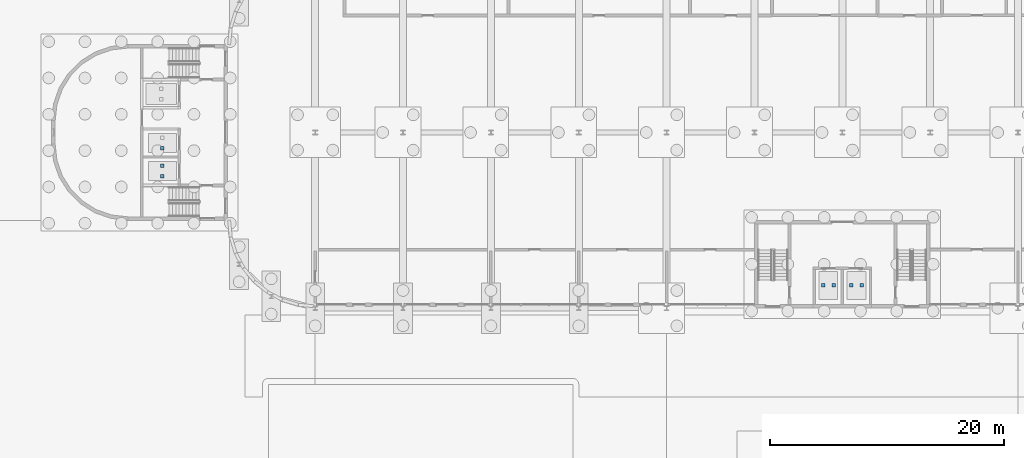
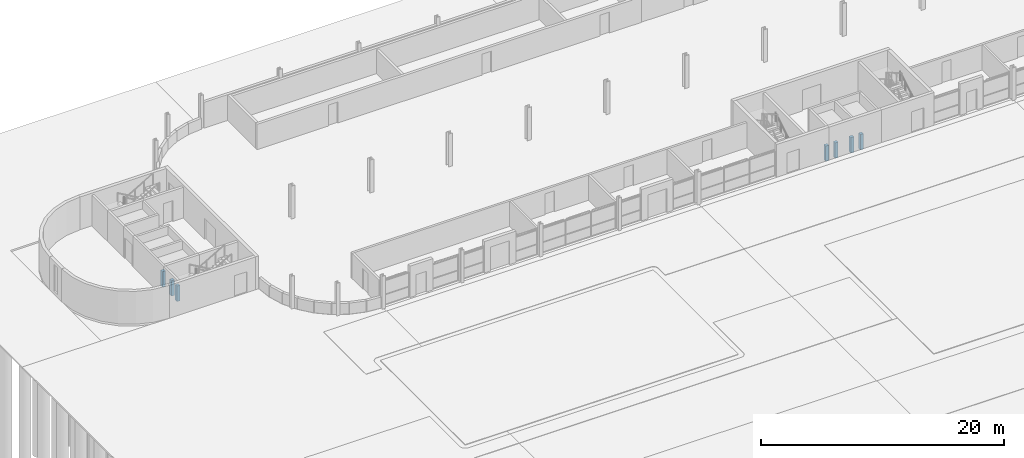
# One storey, part 98 of 130: 7 discrete accessories.
"""IFC4 building model written with IfcOpenShell, lengths in metres."""

from ifc_helpers import new_model, si_unit, direction, frame, origin, origin_2d, place, context, subcontext, project, spatial, rectangle, extrude, material, type_object, element, save


model = new_model("IFC4")

# Units and contexts
model_context = context("Model", 3, precision=1e-05, world=origin(), true_north=direction((0.0, 1.0)))
body_context = subcontext(model_context, "Body", "Model", "MODEL_VIEW")
ifc_project = project(units=[si_unit("LENGTHUNIT", "METRE"), si_unit("AREAUNIT", "SQUARE_METRE"), si_unit("VOLUMEUNIT", "CUBIC_METRE"), si_unit("PLANEANGLEUNIT", "RADIAN"), si_unit("MASSUNIT", "GRAM", prefix="KILO")], contexts=[model_context])

# Site, building, storey
site_placement = place(None, origin())
site = spatial("IfcSite", under=ifc_project, at=site_placement, CompositionType="ELEMENT")
building_placement = place(site_placement, origin())
building = spatial("IfcBuilding", under=site, at=building_placement, Name="Parallax Yard Mobility Hub", CompositionType="ELEMENT")
storey_placement = place(building_placement, origin())
storey = spatial("IfcBuildingStorey", under=building, at=storey_placement, Name="L00", CompositionType="ELEMENT", Elevation=0.0)

# Discrete accessories
ifc_material = material(Name="Steel ASTM A36", Category="steel")
discrete_accessory_type = type_object("IfcDiscreteAccessoryType", Name="Lift car buffer stand", PredefinedType="BRACKET", material=ifc_material)
for number, where, z_axis, x_axis, name in (
    (1, (16.949951171875, 123.75, -1.5), (0.0, 0.0, 1.0), (0.0, 1.0, 0.0), "Lift LF1 buffer stand 1 in core C-W"),
    (2, (16.949951171875, 124.64990234375, -1.5), (0.0, 0.0, 1.0), (0.0, 1.0, 0.0), "Lift LF1 buffer stand 2 in core C-W"),
    (3, (16.949951171875, 126.14990234375, -1.5), (0.0, 0.0, 1.0), (0.0, 1.0, 0.0), "Lift LF2 buffer stand 1 in core C-W"),
    (4, (76.64990234375, 114.449951171875, -1.5), (0.0, 0.0, 1.0), (-1.0, 0.0, 0.0), "Lift LF4 buffer stand 1 in core C-N1"),
    (5, (75.75, 114.449951171875, -1.5), (0.0, 0.0, 1.0), (-1.0, 0.0, 0.0), "Lift LF4 buffer stand 2 in core C-N1"),
    (6, (74.25, 114.449951171875, -1.5), (0.0, 0.0, 1.0), (-1.0, 0.0, 0.0), "Lift LF5 buffer stand 1 in core C-N1"),
    (7, (73.35009765625, 114.449951171875, -1.5), (0.0, 0.0, 1.0), (-1.0, 0.0, 0.0), "Lift LF5 buffer stand 2 in core C-N1"),
):
    element("IfcDiscreteAccessory", number, at=place(storey_placement, frame(where, z_axis=z_axis, x_axis=x_axis)), inside=storey, type_object=discrete_accessory_type, Name=name, PredefinedType="BRACKET", context=body_context, shape_type="SweptSolid", body=[
        extrude(rectangle(XDim=0.300048828125, YDim=0.300048828125, at=origin_2d()), origin(), (0.0, 0.0, 1.0), 1.550048828125),
    ])

save(model, "model.ifc")
